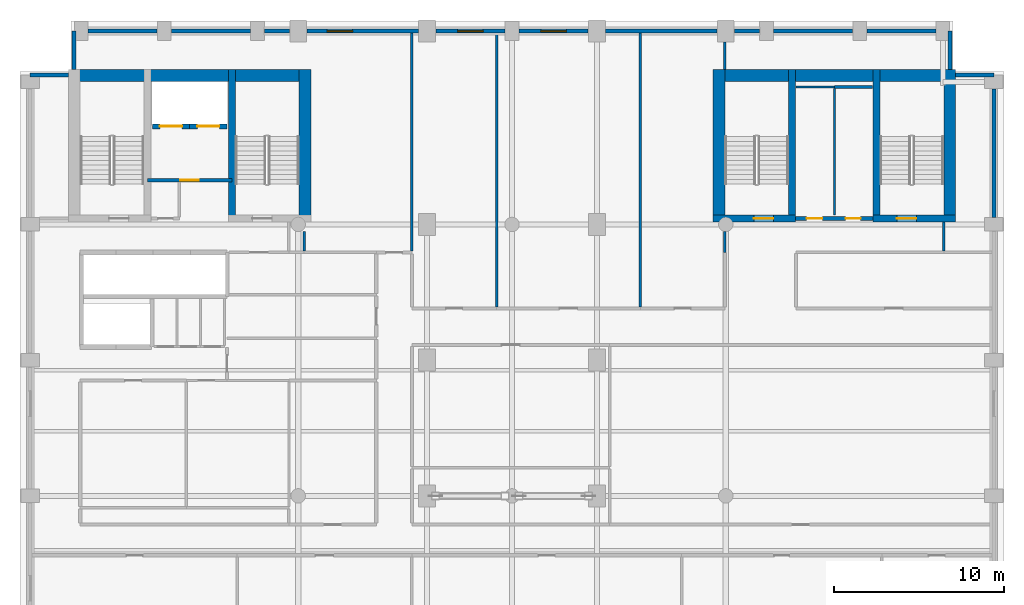
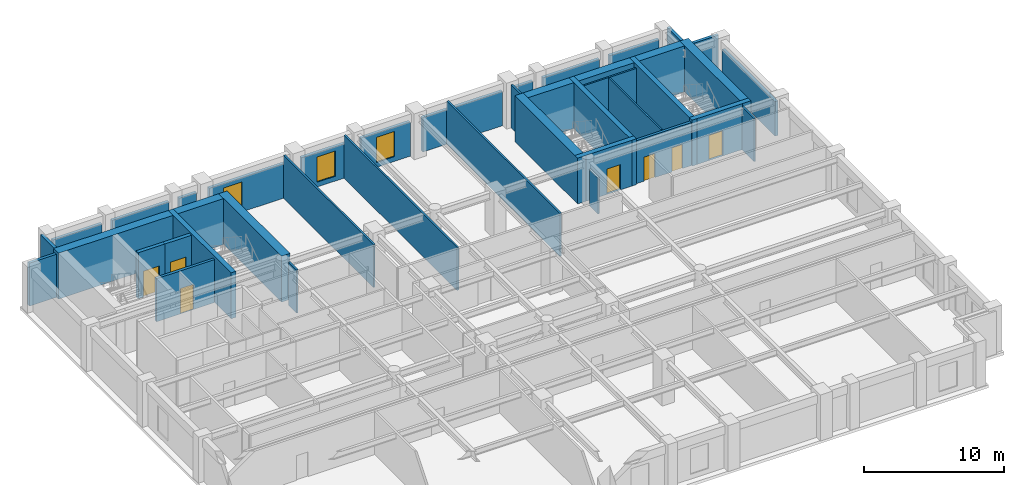
# One storey, part 8 of 11: 39 walls, 7 doors, 3 windows, 10 openings.
"""IFC4 building model written with IfcOpenShell, lengths in metres."""

import ifcopenshell
import ifcopenshell.guid

model = None  # the IFC model being written
_history = None  # IfcOwnerHistory: only IFC2X3 demands one
_inside = {}  # id of a spatial element -> (the spatial element, [elements in it])
_under = {}  # id of a project, library or spatial element -> (it, [spatial elements below it])
_declared = {}  # id of a project -> (the project, [libraries it declares])
_typed = {}  # id of a type object -> (the type object, [elements of that type])
_made_of = {}  # id of a material, layer set ... -> (it, [elements and type objects made of it])


def new_model(schema):
    """Start an empty IFC model of exactly this schema.

    Asked for "IFC4X3", IfcOpenShell would pick the latest addendum, in which some entities
    have other attributes; the version numbers below select the first issue.
    IFC2X3 requires an IfcOwnerHistory on every rooted entity: one is made here for all.
    """
    global model, _history
    if schema == "IFC4X3":
        model = ifcopenshell.file(schema_version=(4, 3, 0, 0))
    else:
        model = ifcopenshell.file(schema=schema)
    _inside.clear()
    _under.clear()
    _declared.clear()
    _typed.clear()
    _made_of.clear()
    _history = None
    if model.schema == "IFC2X3":
        org = make("IfcOrganization", Name="unknown")
        user = make(
            "IfcPersonAndOrganization",
            ThePerson=make("IfcPerson", FamilyName="unknown"),
            TheOrganization=org,
        )
        app = make(
            "IfcApplication",
            ApplicationDeveloper=org,
            Version="unknown",
            ApplicationFullName="unknown",
            ApplicationIdentifier="unknown",
        )
        _history = make(
            "IfcOwnerHistory",
            OwningUser=user,
            OwningApplication=app,
            ChangeAction="ADDED",
            CreationDate=0,
        )
    return model


def make(cls, **values):
    """One entity of the class cls with the attributes given. An attribute that is None is left unset."""
    return model.create_entity(
        cls, **{name: value for name, value in values.items() if value is not None}
    )


def rooted(cls, **values):
    """An entity with a GlobalId (a new one), such as an element, a storey or a relation."""
    return make(cls, GlobalId=ifcopenshell.guid.new(), OwnerHistory=_history, **values)


def si_unit(unit_type, name, prefix=None):
    """IfcSIUnit, for example si_unit("LENGTHUNIT", "METRE", prefix="MILLI")."""
    return make("IfcSIUnit", UnitType=unit_type, Prefix=prefix, Name=name)


def assignment(units):
    """IfcUnitAssignment: the units of a project."""
    return None if units is None else make("IfcUnitAssignment", Units=units)


def point(xyz):
    """IfcCartesianPoint."""
    return None if xyz is None else make("IfcCartesianPoint", Coordinates=xyz)


def direction(xyz):
    """IfcDirection."""
    return None if xyz is None else make("IfcDirection", DirectionRatios=xyz)


def frame(location, z_axis=None, x_axis=None):
    """IfcAxis2Placement3D, a coordinate frame: its origin and axes. An axis left out is left unset."""
    return make(
        "IfcAxis2Placement3D",
        Location=point(location),
        Axis=direction(z_axis),
        RefDirection=direction(x_axis),
    )


def frame_2d(location, x_axis=None):
    """IfcAxis2Placement2D, a coordinate frame in the plane: its origin and x axis."""
    return make(
        "IfcAxis2Placement2D", Location=point(location), RefDirection=direction(x_axis)
    )


def origin():
    """The frame at (0, 0, 0) with its axes left unset."""
    return frame((0.0, 0.0, 0.0))


def place(relative_to, where):
    """IfcLocalPlacement: puts the frame where relative to a parent placement (None: the world)."""
    return make(
        "IfcLocalPlacement", PlacementRelTo=relative_to, RelativePlacement=where
    )


def context(
    kind, dimensions, precision=None, world=None, true_north=None, identifier=None
):
    """IfcGeometricRepresentationContext, for example the 3D "Model" context."""
    return make(
        "IfcGeometricRepresentationContext",
        ContextIdentifier=identifier,
        ContextType=kind,
        CoordinateSpaceDimension=dimensions,
        Precision=precision,
        WorldCoordinateSystem=world,
        TrueNorth=true_north,
    )


def subcontext(parent, identifier, kind, view, scale=None):
    """IfcGeometricRepresentationSubContext, for example "Body" below "Model"."""
    return make(
        "IfcGeometricRepresentationSubContext",
        ContextIdentifier=identifier,
        ContextType=kind,
        ParentContext=parent,
        TargetScale=scale,
        TargetView=view,
    )


def project(units=None, contexts=None):
    """IfcProject with its units and contexts."""
    return rooted(
        "IfcProject",
        Name="project",
        RepresentationContexts=contexts,
        UnitsInContext=assignment(units),
    )


def spatial(cls, under=None, at=None, **own):
    """A site, building, storey or space (cls), placed at a placement, below another one or the project."""
    s = rooted(cls, ObjectPlacement=at, **own)
    if under is not None:
        _under.setdefault(under.id(), (under, []))[1].append(s)
    return s


def profile(cls, at=None, kind="AREA", **sizes):
    """A parametric profile (cls). Its sizes go by their IFC names, for example OverallWidth=200.0."""
    return make(cls, ProfileType=kind, Position=at, **sizes)


def rectangle(**sizes):
    """IfcRectangleProfileDef."""
    return profile("IfcRectangleProfileDef", **sizes)


def extrude(swept, where, along, depth):
    """IfcExtrudedAreaSolid: the profile swept, set in the frame where, extruded along a direction by depth."""
    return make(
        "IfcExtrudedAreaSolid",
        SweptArea=swept,
        Position=where,
        ExtrudedDirection=direction(along),
        Depth=depth,
    )


def shape(context_of_items, identifier, shape_type, items):
    """IfcShapeRepresentation: the items that make up one representation, for example the "Body"."""
    return make(
        "IfcShapeRepresentation",
        ContextOfItems=context_of_items,
        RepresentationIdentifier=identifier,
        RepresentationType=shape_type,
        Items=items,
    )


def material(Name=None, Category=None):
    """IfcMaterial."""
    return make("IfcMaterial", Name=Name, Category=Category)


def layer(
    of_material, thickness, ventilated=None, Name=None, Category=None, Priority=None
):
    """IfcMaterialLayer: one layer of a wall or slab, of a material (None: an air gap)."""
    return make(
        "IfcMaterialLayer",
        Material=of_material,
        LayerThickness=thickness,
        IsVentilated=ventilated,
        Name=Name,
        Category=Category,
        Priority=Priority,
    )


def layer_set(layers, Name=None):
    """IfcMaterialLayerSet."""
    return make("IfcMaterialLayerSet", MaterialLayers=layers, LayerSetName=Name)


def made_of(thing, what):
    """Note that an element or type object is made of a material, layer set ...; save() writes the relation."""
    if what is not None:
        _made_of.setdefault(what.id(), (what, []))[1].append(thing)
    return thing


def type_object(cls, material=None, **own):
    """A type object (cls), such as IfcWallType, which elements share."""
    return made_of(rooted(cls, **own), material)


def element(
    cls,
    number,
    at=None,
    inside=None,
    cuts=None,
    type_object=None,
    material=None,
    context=None,
    identifier="Body",
    shape_type=None,
    held_by="IfcProductDefinitionShape",
    body=None,
    shapes=None,
    **own,
):
    """One element of the class cls, such as IfcWall. Its Tag is "e" and its number.

    at: its placement. inside: the storey or other place that contains it. cuts: it is an
    opening in that element (IfcRelVoidsElement). A single representation is given by context,
    identifier, shape_type and body (its items); several are given by shapes. held_by: the class
    of the entity that holds the representations. save() writes the other relations.
    """
    e = rooted(cls, Tag="e%d" % number, ObjectPlacement=at, **own)
    if body is not None:
        shapes = [shape(context, identifier, shape_type, body)]
    if shapes is not None:
        e.Representation = make(held_by, Representations=shapes)
    if inside is not None:
        _inside.setdefault(inside.id(), (inside, []))[1].append(e)
    if cuts is not None:
        rooted(
            "IfcRelVoidsElement", RelatingBuildingElement=cuts, RelatedOpeningElement=e
        )
    if type_object is not None:
        _typed.setdefault(type_object.id(), (type_object, []))[1].append(e)
    return made_of(e, material)


def fill(opening, filler):
    """IfcRelFillsElement: the door or window that sits in an opening."""
    return rooted(
        "IfcRelFillsElement",
        RelatingOpeningElement=opening,
        RelatedBuildingElement=filler,
    )


def aggregate(whole, parts):
    """IfcRelAggregates: a whole, such as a stair, and the parts it consists of."""
    return rooted("IfcRelAggregates", RelatingObject=whole, RelatedObjects=parts)


def save(model, path):
    """Write the relations noted so far, then the file.

    IfcRelAggregates (storeys below a building ...), IfcRelContainedInSpatialStructure (elements
    in a storey), IfcRelDefinesByType, IfcRelAssociatesMaterial and IfcRelDeclares: one each for
    every whole, place, type object, material and project.
    """
    for whole, parts in _under.values():
        aggregate(whole, parts)
    for where, things in _inside.values():
        rooted(
            "IfcRelContainedInSpatialStructure",
            RelatedElements=things,
            RelatingStructure=where,
        )
    for kind, things in _typed.values():
        rooted("IfcRelDefinesByType", RelatedObjects=things, RelatingType=kind)
    for what, things in _made_of.values():
        rooted("IfcRelAssociatesMaterial", RelatedObjects=things, RelatingMaterial=what)
    for by, libraries in _declared.values():
        rooted("IfcRelDeclares", RelatingContext=by, RelatedDefinitions=libraries)
    model.write(path)


model = new_model("IFC4")

# Units and contexts
model_context = context("Model", 3, precision=1e-05, world=origin(), true_north=direction((0.0, 1.0)))
body_context = subcontext(model_context, "Body", "Model", "MODEL_VIEW")
ifc_project = project(units=[si_unit("LENGTHUNIT", "METRE"), si_unit("AREAUNIT", "SQUARE_METRE"), si_unit("VOLUMEUNIT", "CUBIC_METRE"), si_unit("PLANEANGLEUNIT", "RADIAN"), si_unit("MASSUNIT", "GRAM", prefix="KILO")], contexts=[model_context])

# Site, building, storey
site_placement = place(None, origin())
site = spatial("IfcSite", under=ifc_project, at=site_placement, CompositionType="ELEMENT")
building_placement = place(site_placement, origin())
building = spatial("IfcBuilding", under=site, at=building_placement, Name="Sulina Concourse Tower", CompositionType="ELEMENT")
storey_placement = place(building_placement, frame((0.0, 0.0, 218.60009765625)))
storey = spatial("IfcBuildingStorey", under=building, at=storey_placement, Name="L53", CompositionType="ELEMENT", Elevation=218.60009765625)

# Wall, opening, door
ifc_material_1 = material(Name="Concrete C50/60", Category="concrete")
ifc_layer_1 = layer(ifc_material_1, 0.300048828125)
ifc_layer_set_1 = layer_set([ifc_layer_1], Name="Concrete C50/60")
wall_type_1 = type_object("IfcWallType", Name="Core Lift Hoistway Wall 300mm", PredefinedType="SOLIDWALL", material=ifc_layer_set_1)
wall_1_placement = place(storey_placement, frame((10.0, 39.780029296875, 0.0), z_axis=(0.0, 0.0, 1.0), x_axis=(-1.0, 0.0, 0.0)))
wall_1 = element("IfcWall", 1, at=wall_1_placement, inside=storey, type_object=wall_type_1, Name="L53 hoistway enclosure wall FFL-1", PredefinedType="SOLIDWALL", context=body_context, shape_type="SweptSolid", body=[
    extrude(rectangle(XDim=2.199951171875, YDim=0.300048828125, at=frame_2d((1.10009765625, 0.0))), origin(), (0.0, 0.0, 1.0), 4.0),
])
opening_1_placement = place(wall_1_placement, frame((0.449951171875, 0.0, 0.0)))
opening_1 = element("IfcOpeningElement", 2, at=opening_1_placement, cuts=wall_1, Name="Opening LD-02", PredefinedType="OPENING", context=body_context, shape_type="SweptSolid", body=[
    extrude(rectangle(XDim=1.300048828125, YDim=2.25, at=frame_2d((0.64990234375, 1.125))), frame((0.0, 0.159912109375, 0.0), z_axis=(0.0, -1.0, 0.0), x_axis=(1.0, 0.0, 0.0)), (0.0, 0.0, 1.0), 0.320068359375),
])
ifc_material_2 = material(Name="Stainless steel lift landing door", Category="steel")
ifc_layer_2 = layer(ifc_material_2, 0.050048828125)
ifc_layer_set_2 = layer_set([ifc_layer_2], Name="Stainless steel lift landing door")
door_type_1 = type_object("IfcDoorType", Name="Firefighting Lift Sliding Landing Door 1300x2250", OperationType="SLIDING_TO_RIGHT", PredefinedType="DOOR", material=ifc_layer_set_2)
door_1_placement = place(opening_1_placement, origin())
door_1 = element("IfcDoor", 3, at=door_1_placement, inside=storey, type_object=door_type_1, Name="L53 lift landing sliding door FFL-1", OperationType="SLIDING_TO_LEFT", OverallHeight=2.25, OverallWidth=1.300048828125, PredefinedType="DOOR", context=body_context, shape_type="SweptSolid", body=[
    extrude(rectangle(XDim=1.300048828125, YDim=2.25, at=frame_2d((0.64990234375, 1.125))), frame((0.0, 0.02490234375, 0.0), z_axis=(0.0, -1.0, 0.0), x_axis=(1.0, 0.0, 0.0)), (0.0, 0.0, 1.0), 0.050048828125),
])
fill(opening_1, door_1)

wall_2_placement = place(storey_placement, frame((12.199951171875, 39.780029296875, 0.0), z_axis=(0.0, 0.0, 1.0), x_axis=(-1.0, 0.0, 0.0)))
wall_2 = element("IfcWall", 4, at=wall_2_placement, inside=storey, type_object=wall_type_1, Name="L53 hoistway enclosure wall FFL-2", PredefinedType="SOLIDWALL", context=body_context, shape_type="SweptSolid", body=[
    extrude(rectangle(XDim=2.199951171875, YDim=0.300048828125, at=frame_2d((1.10009765625, 0.0))), origin(), (0.0, 0.0, 1.0), 4.0),
])
opening_2_placement = place(wall_2_placement, frame((0.449951171875, 0.0, 0.0)))
opening_2 = element("IfcOpeningElement", 5, at=opening_2_placement, cuts=wall_2, Name="Opening LD-02", PredefinedType="OPENING", context=body_context, shape_type="SweptSolid", body=[
    extrude(rectangle(XDim=1.300048828125, YDim=2.25, at=frame_2d((0.64990234375, 1.125))), frame((0.0, 0.159912109375, 0.0), z_axis=(0.0, -1.0, 0.0), x_axis=(1.0, 0.0, 0.0)), (0.0, 0.0, 1.0), 0.320068359375),
])
door_2_placement = place(opening_2_placement, origin())
door_2 = element("IfcDoor", 6, at=door_2_placement, inside=storey, type_object=door_type_1, Name="L53 lift landing sliding door FFL-2", OperationType="SLIDING_TO_RIGHT", OverallHeight=2.25, OverallWidth=1.300048828125, PredefinedType="DOOR", context=body_context, shape_type="SweptSolid", body=[
    extrude(rectangle(XDim=1.300048828125, YDim=2.25, at=frame_2d((0.64990234375, 1.125))), frame((0.0, 0.02490234375, 0.0), z_axis=(0.0, -1.0, 0.0), x_axis=(1.0, 0.0, 0.0)), (0.0, 0.0, 1.0), 0.050048828125),
])
fill(opening_2, door_2)

# Walls
ifc_material_3 = material(Name="Precast concrete C50/60", Category="concrete")
ifc_layer_3 = layer(ifc_material_3, 0.239990234375)
ifc_layer_set_3 = layer_set([ifc_layer_3], Name="Precast concrete C50/60")
wall_type_2 = type_object("IfcWallType", Name="Crown Precast Masonry-Frame Facade Wall 240mm", PredefinedType="SOLIDWALL", material=ifc_layer_set_3)
wall_3_placement = place(storey_placement, frame((4.02001953125, 45.39990234375, 0.0), z_axis=(0.0, 0.0, 1.0), x_axis=(1.0, 0.0, 0.0)))
element("IfcWall", 7, at=wall_3_placement, inside=storey, type_object=wall_type_2, Name="L53 exterior precast wall N1", PredefinedType="SOLIDWALL", context=body_context, shape_type="SweptSolid", body=[
    extrude(rectangle(XDim=4.06005859375, YDim=0.239990234375, at=frame_2d((2.030029296875, 0.0))), origin(), (0.0, 0.0, 1.0), 3.0),
])
wall_4_placement = place(storey_placement, frame((8.919921875, 45.39990234375, 0.0), z_axis=(0.0, 0.0, 1.0), x_axis=(1.0, 0.0, 0.0)))
element("IfcWall", 8, at=wall_4_placement, inside=storey, type_object=wall_type_2, Name="L53 exterior precast wall N2", PredefinedType="SOLIDWALL", context=body_context, shape_type="SweptSolid", body=[
    extrude(rectangle(XDim=4.66015625, YDim=0.239990234375, at=frame_2d((2.330078125, 0.0))), origin(), (0.0, 0.0, 1.0), 3.0),
])
wall_5_placement = place(storey_placement, frame((14.419921875, 45.39990234375, 0.0), z_axis=(0.0, 0.0, 1.0), x_axis=(1.0, 0.0, 0.0)))
element("IfcWall", 9, at=wall_5_placement, inside=storey, type_object=wall_type_2, Name="L53 exterior precast wall N3", PredefinedType="SOLIDWALL", context=body_context, shape_type="SweptSolid", body=[
    extrude(rectangle(XDim=1.4599609375, YDim=0.239990234375, at=frame_2d((0.72998046875, 0.0))), origin(), (0.0, 0.0, 1.0), 3.0),
])

# Wall, opening, window
wall_6_placement = place(storey_placement, frame((16.919921875, 45.39990234375, 0.0), z_axis=(0.0, 0.0, 1.0), x_axis=(1.0, 0.0, 0.0)))
wall_6 = element("IfcWall", 10, at=wall_6_placement, inside=storey, type_object=wall_type_2, Name="L53 exterior precast wall N4", PredefinedType="SOLIDWALL", context=body_context, shape_type="SweptSolid", body=[
    extrude(rectangle(XDim=6.56005859375, YDim=0.239990234375, at=frame_2d((3.280029296875, 0.0))), origin(), (0.0, 0.0, 1.0), 3.0),
])
opening_3_placement = place(wall_6_placement, frame((1.186767578125, 0.0, 0.419921875)))
opening_3 = element("IfcOpeningElement", 11, at=opening_3_placement, cuts=wall_6, Name="Opening WN-71", PredefinedType="OPENING", context=body_context, shape_type="SweptSolid", body=[
    extrude(rectangle(XDim=1.5, YDim=2.199951171875, at=frame_2d((0.75, 1.10009765625))), frame((0.0, 0.1298828125, 0.0), z_axis=(0.0, -1.0, 0.0), x_axis=(1.0, 0.0, 0.0)), (0.0, 0.0, 1.0), 0.260009765625),
])
ifc_material_4 = material(Name="Low-E solar double glazing in bronze aluminium", Category="aluminium")
window_type = type_object("IfcWindowType", Name="Punched Masonry-Frame Window 1500x2200", PartitioningType="SINGLE_PANEL", PredefinedType="WINDOW", material=ifc_material_4)
window_1_placement = place(opening_3_placement, origin())
window_1 = element("IfcWindow", 12, at=window_1_placement, inside=storey, type_object=window_type, Name="L53 punched window N4-1", OverallHeight=2.199951171875, OverallWidth=1.5, PartitioningType="SINGLE_PANEL", PredefinedType="WINDOW", context=body_context, shape_type="SweptSolid", body=[
    extrude(rectangle(XDim=1.5, YDim=2.199951171875, at=frame_2d((0.75, 1.10009765625))), frame((0.0, 0.030029296875, 0.0), z_axis=(0.0, -1.0, 0.0), x_axis=(1.0, 0.0, 0.0)), (0.0, 0.0, 1.0), 0.06005859375),
])
fill(opening_3, window_1)

wall_7_placement = place(storey_placement, frame((24.52001953125, 45.39990234375, 0.0), z_axis=(0.0, 0.0, 1.0), x_axis=(1.0, 0.0, 0.0)))
wall_7 = element("IfcWall", 13, at=wall_7_placement, inside=storey, type_object=wall_type_2, Name="L53 exterior precast wall N5", PredefinedType="SOLIDWALL", context=body_context, shape_type="SweptSolid", body=[
    extrude(rectangle(XDim=4.06005859375, YDim=0.239990234375, at=frame_2d((2.030029296875, 0.0))), origin(), (0.0, 0.0, 1.0), 3.0),
])
opening_4_placement = place(wall_7_placement, frame((1.280029296875, 0.0, 0.419921875)))
opening_4 = element("IfcOpeningElement", 14, at=opening_4_placement, cuts=wall_7, Name="Opening WN-71", PredefinedType="OPENING", context=body_context, shape_type="SweptSolid", body=[
    extrude(rectangle(XDim=1.5, YDim=2.199951171875, at=frame_2d((0.75, 1.10009765625))), frame((0.0, 0.1298828125, 0.0), z_axis=(0.0, -1.0, 0.0), x_axis=(1.0, 0.0, 0.0)), (0.0, 0.0, 1.0), 0.260009765625),
])
window_2_placement = place(opening_4_placement, origin())
window_2 = element("IfcWindow", 15, at=window_2_placement, inside=storey, type_object=window_type, Name="L53 punched window N5-1", OverallHeight=2.199951171875, OverallWidth=1.5, PartitioningType="SINGLE_PANEL", PredefinedType="WINDOW", context=body_context, shape_type="SweptSolid", body=[
    extrude(rectangle(XDim=1.5, YDim=2.199951171875, at=frame_2d((0.75, 1.10009765625))), frame((0.0, 0.030029296875, 0.0), z_axis=(0.0, -1.0, 0.0), x_axis=(1.0, 0.0, 0.0)), (0.0, 0.0, 1.0), 0.06005859375),
])
fill(opening_4, window_2)

wall_8_placement = place(storey_placement, frame((29.419921875, 45.39990234375, 0.0), z_axis=(0.0, 0.0, 1.0), x_axis=(1.0, 0.0, 0.0)))
wall_8 = element("IfcWall", 16, at=wall_8_placement, inside=storey, type_object=wall_type_2, Name="L53 exterior precast wall N6", PredefinedType="SOLIDWALL", context=body_context, shape_type="SweptSolid", body=[
    extrude(rectangle(XDim=4.06005859375, YDim=0.239990234375, at=frame_2d((2.030029296875, 0.0))), origin(), (0.0, 0.0, 1.0), 3.0),
])
opening_5_placement = place(wall_8_placement, frame((1.280029296875, 0.0, 0.419921875)))
opening_5 = element("IfcOpeningElement", 17, at=opening_5_placement, cuts=wall_8, Name="Opening WN-71", PredefinedType="OPENING", context=body_context, shape_type="SweptSolid", body=[
    extrude(rectangle(XDim=1.5, YDim=2.199951171875, at=frame_2d((0.75, 1.10009765625))), frame((0.0, 0.1298828125, 0.0), z_axis=(0.0, -1.0, 0.0), x_axis=(1.0, 0.0, 0.0)), (0.0, 0.0, 1.0), 0.260009765625),
])
window_3_placement = place(opening_5_placement, origin())
window_3 = element("IfcWindow", 18, at=window_3_placement, inside=storey, type_object=window_type, Name="L53 punched window N6-1", OverallHeight=2.199951171875, OverallWidth=1.5, PartitioningType="SINGLE_PANEL", PredefinedType="WINDOW", context=body_context, shape_type="SweptSolid", body=[
    extrude(rectangle(XDim=1.5, YDim=2.199951171875, at=frame_2d((0.75, 1.10009765625))), frame((0.0, 0.030029296875, 0.0), z_axis=(0.0, -1.0, 0.0), x_axis=(1.0, 0.0, 0.0)), (0.0, 0.0, 1.0), 0.06005859375),
])
fill(opening_5, window_3)

# Walls
wall_9_placement = place(storey_placement, frame((34.52001953125, 45.39990234375, 0.0), z_axis=(0.0, 0.0, 1.0), x_axis=(1.0, 0.0, 0.0)))
element("IfcWall", 19, at=wall_9_placement, inside=storey, type_object=wall_type_2, Name="L53 exterior precast wall N7", PredefinedType="SOLIDWALL", context=body_context, shape_type="SweptSolid", body=[
    extrude(rectangle(XDim=6.56005859375, YDim=0.239990234375, at=frame_2d((3.280029296875, 0.0))), origin(), (0.0, 0.0, 1.0), 3.0),
])
wall_10_placement = place(storey_placement, frame((42.1201171875, 45.39990234375, 0.0), z_axis=(0.0, 0.0, 1.0), x_axis=(1.0, 0.0, 0.0)))
element("IfcWall", 20, at=wall_10_placement, inside=storey, type_object=wall_type_2, Name="L53 exterior precast wall N8", PredefinedType="SOLIDWALL", context=body_context, shape_type="SweptSolid", body=[
    extrude(rectangle(XDim=1.4599609375, YDim=0.239990234375, at=frame_2d((0.72998046875, 0.0))), origin(), (0.0, 0.0, 1.0), 3.0),
])
wall_11_placement = place(storey_placement, frame((44.419921875, 45.39990234375, 0.0), z_axis=(0.0, 0.0, 1.0), x_axis=(1.0, 0.0, 0.0)))
element("IfcWall", 21, at=wall_11_placement, inside=storey, type_object=wall_type_2, Name="L53 exterior precast wall N9", PredefinedType="SOLIDWALL", context=body_context, shape_type="SweptSolid", body=[
    extrude(rectangle(XDim=4.66015625, YDim=0.239990234375, at=frame_2d((2.330078125, 0.0))), origin(), (0.0, 0.0, 1.0), 3.0),
])
wall_12_placement = place(storey_placement, frame((49.919921875, 45.39990234375, 0.0), z_axis=(0.0, 0.0, 1.0), x_axis=(1.0, 0.0, 0.0)))
element("IfcWall", 22, at=wall_12_placement, inside=storey, type_object=wall_type_2, Name="L53 exterior precast wall N10", PredefinedType="SOLIDWALL", context=body_context, shape_type="SweptSolid", body=[
    extrude(rectangle(XDim=4.06005859375, YDim=0.239990234375, at=frame_2d((2.030029296875, 0.0))), origin(), (0.0, 0.0, 1.0), 3.0),
])
wall_13_placement = place(storey_placement, frame((57.39990234375, 41.97998046875, 0.0), z_axis=(0.0, 0.0, 1.0), x_axis=(0.0, -1.0, 0.0)))
element("IfcWall", 23, at=wall_13_placement, inside=storey, type_object=wall_type_2, Name="L53 exterior precast wall E5", PredefinedType="SOLIDWALL", context=body_context, shape_type="SweptSolid", body=[
    extrude(rectangle(XDim=7.56005859375, YDim=0.239990234375, at=frame_2d((3.780029296875, 0.0))), origin(), (0.0, 0.0, 1.0), 3.0),
])
wall_14_placement = place(storey_placement, frame((0.60009765625, 42.820068359375, 0.0), z_axis=(0.0, 0.0, 1.0), x_axis=(1.0, 0.0, 0.0)))
element("IfcWall", 24, at=wall_14_placement, inside=storey, type_object=wall_type_2, Name="L53 exterior precast wall CNW1", PredefinedType="SOLIDWALL", context=body_context, shape_type="SweptSolid", body=[
    extrude(rectangle(XDim=2.244873046875, YDim=0.239990234375, at=frame_2d((1.12255859375, 0.0))), origin(), (0.0, 0.0, 1.0), 3.75),
])
for number, where, z_axis, x_axis, name in (
    (25, (3.179931640625, 43.135009765625, 0.0), (0.0, 0.0, 1.0), (0.0, 1.0, 0.0), "L53 exterior precast wall CNW2"),
    (26, (54.820068359375, 45.39990234375, 0.0), (0.0, 0.0, 1.0), (0.0, -1.0, 0.0), "L53 exterior precast wall CNE1"),
):
    element("IfcWall", number, at=place(storey_placement, frame(where, z_axis=z_axis, x_axis=x_axis)), inside=storey, type_object=wall_type_2, Name=name, PredefinedType="SOLIDWALL", context=body_context, shape_type="SweptSolid", body=[
        extrude(rectangle(XDim=2.264892578125, YDim=0.239990234375, at=frame_2d((1.13232421875, 0.0))), origin(), (0.0, 0.0, 1.0), 3.75),
    ])
wall_15_placement = place(storey_placement, frame((55.155029296875, 42.820068359375, 0.0), z_axis=(0.0, 0.0, 1.0), x_axis=(1.0, 0.0, 0.0)))
element("IfcWall", 27, at=wall_15_placement, inside=storey, type_object=wall_type_2, Name="L53 exterior precast wall CNE2", PredefinedType="SOLIDWALL", context=body_context, shape_type="SweptSolid", body=[
    extrude(rectangle(XDim=2.244873046875, YDim=0.239990234375, at=frame_2d((1.12255859375, 0.0))), origin(), (0.0, 0.0, 1.0), 3.75),
])

# Wall, opening, door
ifc_material_5 = material(Name="Gypsum board on steel stud", Category="steel")
ifc_layer_4 = layer(ifc_material_5, 0.219970703125)
ifc_layer_set_4 = layer_set([ifc_layer_4], Name="Gypsum board on steel stud")
wall_type_3 = type_object("IfcWallType", Name="Fire-Rated Lobby & Compartment Wall 220mm", PredefinedType="PARTITIONING", material=ifc_layer_set_4)
wall_16_placement = place(storey_placement, frame((7.510009765625, 36.60009765625, 0.0), z_axis=(0.0, 0.0, 1.0), x_axis=(1.0, 0.0, 0.0)))
wall_16 = element("IfcWall", 28, at=wall_16_placement, inside=storey, type_object=wall_type_3, Name="L53 firefighting lobby south fire wall", PredefinedType="PARTITIONING", context=body_context, shape_type="SweptSolid", body=[
    extrude(rectangle(XDim=4.97998046875, YDim=0.219970703125, at=frame_2d((2.489990234375, 0.0))), origin(), (0.0, 0.0, 1.0), 3.75),
])
opening_6_placement = place(wall_16_placement, frame((1.93994140625, 0.0, 0.0)))
opening_6 = element("IfcOpeningElement", 29, at=opening_6_placement, cuts=wall_16, Name="Opening DR-47", PredefinedType="OPENING", context=body_context, shape_type="SweptSolid", body=[
    extrude(rectangle(XDim=1.10009765625, YDim=2.199951171875, at=frame_2d((0.550048828125, 1.10009765625))), frame((0.0, 0.119873046875, 0.0), z_axis=(0.0, -1.0, 0.0), x_axis=(1.0, 0.0, 0.0)), (0.0, 0.0, 1.0), 0.239990234375),
])
ifc_material_6 = material(Name="Galvanised steel acoustic fire leaf", Category="steel")
ifc_layer_5 = layer(ifc_material_6, 0.054931640625)
ifc_layer_set_5 = layer_set([ifc_layer_5], Name="Galvanised steel acoustic fire leaf")
door_type_2 = type_object("IfcDoorType", Name="Firefighting Lobby Fire Door 1100x2200", OperationType="NOTDEFINED", PredefinedType="DOOR", material=ifc_layer_set_5)
door_3_placement = place(opening_6_placement, origin())
door_3 = element("IfcDoor", 30, at=door_3_placement, inside=storey, type_object=door_type_2, Name="L53 firefighting lobby fire door", OperationType="SINGLE_SWING_RIGHT", OverallHeight=2.199951171875, OverallWidth=1.10009765625, PredefinedType="DOOR", context=body_context, shape_type="SweptSolid", body=[
    extrude(rectangle(XDim=1.10009765625, YDim=2.199951171875, at=frame_2d((0.550048828125, 1.10009765625))), frame((0.0, 0.02490234375, 0.0), z_axis=(0.0, -1.0, 0.0), x_axis=(1.0, 0.0, 0.0)), (0.0, 0.0, 1.0), 0.050048828125),
])
fill(opening_6, door_3)

# Wall, openings, doors
wall_17_placement = place(storey_placement, frame((45.719970703125, 34.35009765625, 0.0), z_axis=(0.0, 0.0, 1.0), x_axis=(1.0, 0.0, 0.0)))
wall_17 = element("IfcWall", 31, at=wall_17_placement, inside=storey, type_object=wall_type_3, Name="L53 east core south lobby wall", PredefinedType="PARTITIONING", context=body_context, shape_type="SweptSolid", body=[
    extrude(rectangle(XDim=4.56005859375, YDim=0.219970703125, at=frame_2d((2.280029296875, 0.0))), origin(), (0.0, 0.0, 1.0), 3.75),
])
opening_7_placement = place(wall_17_placement, frame((0.64990234375, 0.0, 0.0)))
opening_7 = element("IfcOpeningElement", 32, at=opening_7_placement, cuts=wall_17, Name="Opening DR-61", PredefinedType="OPENING", context=body_context, shape_type="SweptSolid", body=[
    extrude(rectangle(XDim=0.919921875, YDim=2.10009765625, at=frame_2d((0.4599609375, 1.050048828125))), frame((0.0, 0.119873046875, 0.0), z_axis=(0.0, -1.0, 0.0), x_axis=(1.0, 0.0, 0.0)), (0.0, 0.0, 1.0), 0.239990234375),
])
opening_8_placement = place(wall_17_placement, frame((2.949951171875, 0.0, 0.0)))
opening_8 = element("IfcOpeningElement", 33, at=opening_8_placement, cuts=wall_17, Name="Opening DR-38", PredefinedType="OPENING", context=body_context, shape_type="SweptSolid", body=[
    extrude(rectangle(XDim=0.8798828125, YDim=2.10009765625, at=frame_2d((0.43994140625, 1.050048828125))), frame((0.0, 0.119873046875, 0.0), z_axis=(0.0, -1.0, 0.0), x_axis=(1.0, 0.0, 0.0)), (0.0, 0.0, 1.0), 0.239990234375),
])
ifc_material_7 = material(Name="Oak-veneered fire door leaf")
ifc_layer_6 = layer(ifc_material_7, 0.050048828125)
ifc_layer_set_6 = layer_set([ifc_layer_6], Name="Oak-veneered fire door leaf")
door_type_3 = type_object("IfcDoorType", Name="Accessible WC Door 920x2100", OperationType="NOTDEFINED", PredefinedType="DOOR", material=ifc_layer_set_6)
door_4_placement = place(opening_7_placement, origin())
door_4 = element("IfcDoor", 34, at=door_4_placement, inside=storey, type_object=door_type_3, Name="L53 east core accessible wc door", OperationType="SINGLE_SWING_RIGHT", OverallHeight=2.10009765625, OverallWidth=0.919921875, PredefinedType="DOOR", context=body_context, shape_type="SweptSolid", body=[
    extrude(rectangle(XDim=0.919921875, YDim=2.10009765625, at=frame_2d((0.4599609375, 1.050048828125))), frame((0.0, 0.02490234375, 0.0), z_axis=(0.0, -1.0, 0.0), x_axis=(1.0, 0.0, 0.0)), (0.0, 0.0, 1.0), 0.050048828125),
])
fill(opening_7, door_4)
ifc_material_8 = material(Name="Galvanised steel acoustic fire leaf", Category="steel")
ifc_layer_7 = layer(ifc_material_8, 0.050048828125)
ifc_layer_set_7 = layer_set([ifc_layer_7], Name="Galvanised steel acoustic fire leaf")
door_type_4 = type_object("IfcDoorType", Name="Service Riser Fire Door 880x2100", OperationType="NOTDEFINED", PredefinedType="DOOR", material=ifc_layer_set_7)
door_5_placement = place(opening_8_placement, origin())
door_5 = element("IfcDoor", 35, at=door_5_placement, inside=storey, type_object=door_type_4, Name="L53 east core store door", OperationType="SINGLE_SWING_LEFT", OverallHeight=2.10009765625, OverallWidth=0.8798828125, PredefinedType="DOOR", context=body_context, shape_type="SweptSolid", body=[
    extrude(rectangle(XDim=0.8798828125, YDim=2.10009765625, at=frame_2d((0.43994140625, 1.050048828125))), frame((0.0, 0.02490234375, 0.0), z_axis=(0.0, -1.0, 0.0), x_axis=(1.0, 0.0, 0.0)), (0.0, 0.0, 1.0), 0.050048828125),
])
fill(opening_8, door_5)

# Walls
ifc_material_9 = material(Name="Gypsum board on steel stud", Category="steel")
ifc_layer_8 = layer(ifc_material_9, 0.14990234375)
ifc_layer_set_8 = layer_set([ifc_layer_8], Name="Gypsum board on steel stud")
wall_type_4 = type_object("IfcWallType", Name="Inter-Tenancy Acoustic Partition 150mm", PredefinedType="PARTITIONING", material=ifc_layer_set_8)
wall_18_placement = place(storey_placement, frame((48.0, 42.10009765625, 0.0), z_axis=(0.0, 0.0, 1.0), x_axis=(1.0, 0.0, 0.0)))
element("IfcWall", 36, at=wall_18_placement, inside=storey, type_object=wall_type_4, Name="L53 interior partition 037", PredefinedType="PARTITIONING", context=body_context, shape_type="SweptSolid", body=[
    extrude(rectangle(XDim=2.25, YDim=0.14990234375, at=frame_2d((1.125, 0.0))), origin(), (0.0, 0.0, 1.0), 3.75),
])
wall_19_placement = place(storey_placement, frame((16.75, 32.425048828125, 0.0), z_axis=(0.0, 0.0, 1.0), x_axis=(0.0, 1.0, 0.0)))
element("IfcWall", 37, at=wall_19_placement, inside=storey, type_object=wall_type_4, Name="L53 interior partition 050", PredefinedType="PARTITIONING", context=body_context, shape_type="SweptSolid", body=[
    extrude(rectangle(XDim=1.14990234375, YDim=0.14990234375, at=frame_2d((0.574951171875, 0.0))), origin(), (0.0, 0.0, 1.0), 3.75),
])
wall_20_placement = place(storey_placement, frame((23.10009765625, 32.43994140625, 0.0), z_axis=(0.0, 0.0, 1.0), x_axis=(0.0, 1.0, 0.0)))
element("IfcWall", 38, at=wall_20_placement, inside=storey, type_object=wall_type_4, Name="L53 interior partition 059", PredefinedType="PARTITIONING", context=body_context, shape_type="SweptSolid", body=[
    extrude(rectangle(XDim=12.840087890625, YDim=0.14990234375, at=frame_2d((6.419921875, 0.0))), origin(), (0.0, 0.0, 1.0), 3.75),
])
for number, where, z_axis, x_axis, name in (
    (39, (28.090087890625, 29.139892578125, 0.0), (0.0, 0.0, 1.0), (0.0, 1.0, 0.0), "L53 interior partition 060"),
    (40, (36.56005859375, 29.139892578125, 0.0), (0.0, 0.0, 1.0), (0.0, 1.0, 0.0), "L53 interior partition 063"),
):
    element("IfcWall", number, at=place(storey_placement, frame(where, z_axis=z_axis, x_axis=x_axis)), inside=storey, type_object=wall_type_4, Name=name, PredefinedType="PARTITIONING", context=body_context, shape_type="SweptSolid", body=[
        extrude(rectangle(XDim=16.14013671875, YDim=0.14990234375, at=frame_2d((8.070068359375, 0.0))), origin(), (0.0, 0.0, 1.0), 3.75),
    ])
wall_21_placement = place(storey_placement, frame((41.550048828125, 32.35009765625, 0.0), z_axis=(0.0, 0.0, 1.0), x_axis=(0.0, 1.0, 0.0)))
element("IfcWall", 41, at=wall_21_placement, inside=storey, type_object=wall_type_4, Name="L53 interior partition 066", PredefinedType="PARTITIONING", context=body_context, shape_type="SweptSolid", body=[
    extrude(rectangle(XDim=1.224853515625, YDim=0.14990234375, at=frame_2d((0.6123046875, 0.0))), origin(), (0.0, 0.0, 1.0), 3.14501953125),
])
wall_22_placement = place(storey_placement, frame((41.550048828125, 43.1298828125, 0.0), z_axis=(0.0, 0.0, 1.0), x_axis=(0.0, 1.0, 0.0)))
element("IfcWall", 42, at=wall_22_placement, inside=storey, type_object=wall_type_4, Name="L53 interior partition 067", PredefinedType="PARTITIONING", context=body_context, shape_type="SweptSolid", body=[
    extrude(rectangle(XDim=1.6201171875, YDim=0.14990234375, at=frame_2d((0.81005859375, 0.0))), origin(), (0.0, 0.0, 1.0), 3.75),
])
wall_23_placement = place(storey_placement, frame((54.449951171875, 32.425048828125, 0.0), z_axis=(0.0, 0.0, 1.0), x_axis=(0.0, 1.0, 0.0)))
element("IfcWall", 43, at=wall_23_placement, inside=storey, type_object=wall_type_4, Name="L53 interior partition 071", PredefinedType="PARTITIONING", context=body_context, shape_type="SweptSolid", body=[
    extrude(rectangle(XDim=1.724853515625, YDim=0.14990234375, at=frame_2d((0.8623046875, 0.0))), origin(), (0.0, 0.0, 1.0), 3.75),
])
ifc_material_10 = material(Name="Concrete C60/75", Category="concrete")
ifc_layer_9 = layer(ifc_material_10, 0.39990234375)
ifc_layer_set_9 = layer_set([ifc_layer_9], Name="Concrete C60/75")
wall_type_5 = type_object("IfcWallType", Name="Protected Stair Core Shear Wall 400mm", PredefinedType="SHEAR", material=ifc_layer_set_9)
wall_24_placement = place(storey_placement, frame((12.489990234375, 34.14990234375, 0.0), z_axis=(0.0, 0.0, 1.0), x_axis=(0.0, 1.0, 0.0)))
element("IfcWall", 44, at=wall_24_placement, inside=storey, type_object=wall_type_5, Name="L53 west core shear wall SW-ST2", PredefinedType="SHEAR", context=body_context, shape_type="SweptSolid", body=[
    extrude(rectangle(XDim=8.97998046875, YDim=0.39990234375, at=frame_2d((4.489990234375, 0.0))), origin(), (0.0, 0.0, 1.0), 4.0),
])

# Wall, opening, door
wall_25_placement = place(storey_placement, frame((40.85009765625, 34.35009765625, 0.0), z_axis=(0.0, 0.0, 1.0), x_axis=(1.0, 0.0, 0.0)))
wall_25 = element("IfcWall", 45, at=wall_25_placement, inside=storey, type_object=wall_type_5, Name="L53 east core shear wall CW-ES1", PredefinedType="SHEAR", context=body_context, shape_type="SweptSolid", body=[
    extrude(rectangle(XDim=4.85986328125, YDim=0.39990234375, at=frame_2d((2.429931640625, 0.0))), origin(), (0.0, 0.0, 1.0), 4.0),
])
opening_9_placement = place(wall_25_placement, frame((2.39990234375, 0.0, 0.0)))
opening_9 = element("IfcOpeningElement", 46, at=opening_9_placement, cuts=wall_25, Name="Opening DR-60", PredefinedType="OPENING", context=body_context, shape_type="SweptSolid", body=[
    extrude(rectangle(XDim=1.14990234375, YDim=2.199951171875, at=frame_2d((0.574951171875, 1.10009765625))), frame((0.0, 0.2099609375, 0.0), z_axis=(0.0, -1.0, 0.0), x_axis=(1.0, 0.0, 0.0)), (0.0, 0.0, 1.0), 0.419921875),
])
ifc_material_11 = material(Name="Galvanised steel acoustic fire leaf", Category="steel")
ifc_layer_10 = layer(ifc_material_11, 0.054931640625)
ifc_layer_set_10 = layer_set([ifc_layer_10], Name="Galvanised steel acoustic fire leaf")
door_type_5 = type_object("IfcDoorType", Name="Protected Exit Stair Fire Door 1150x2200", OperationType="NOTDEFINED", PredefinedType="DOOR", material=ifc_layer_set_10)
door_6_placement = place(opening_9_placement, origin())
door_6 = element("IfcDoor", 47, at=door_6_placement, inside=storey, type_object=door_type_5, Name="L53 stair ST-3 south lobby fire door", OperationType="SINGLE_SWING_LEFT", OverallHeight=2.199951171875, OverallWidth=1.14990234375, PredefinedType="DOOR", context=body_context, shape_type="SweptSolid", body=[
    extrude(rectangle(XDim=1.14990234375, YDim=2.199951171875, at=frame_2d((0.574951171875, 1.10009765625))), frame((0.0, 0.02490234375, 0.0), z_axis=(0.0, -1.0, 0.0), x_axis=(1.0, 0.0, 0.0)), (0.0, 0.0, 1.0), 0.050048828125),
])
fill(opening_9, door_6)

# Wall
wall_26_placement = place(storey_placement, frame((45.510009765625, 34.14990234375, 0.0), z_axis=(0.0, 0.0, 1.0), x_axis=(0.0, 1.0, 0.0)))
element("IfcWall", 48, at=wall_26_placement, inside=storey, type_object=wall_type_5, Name="L53 east core shear wall SW-ST3", PredefinedType="SHEAR", context=body_context, shape_type="SweptSolid", body=[
    extrude(rectangle(XDim=8.97998046875, YDim=0.39990234375, at=frame_2d((4.489990234375, 0.0))), origin(), (0.0, 0.0, 1.0), 4.0),
])

# Wall, opening, door
wall_27_placement = place(storey_placement, frame((50.2900390625, 34.35009765625, 0.0), z_axis=(0.0, 0.0, 1.0), x_axis=(1.0, 0.0, 0.0)))
wall_27 = element("IfcWall", 49, at=wall_27_placement, inside=storey, type_object=wall_type_5, Name="L53 east core shear wall CW-ES2", PredefinedType="SHEAR", context=body_context, shape_type="SweptSolid", body=[
    extrude(rectangle(XDim=4.85986328125, YDim=0.39990234375, at=frame_2d((2.429931640625, 0.0))), origin(), (0.0, 0.0, 1.0), 4.0),
])
opening_10_placement = place(wall_27_placement, frame((1.39990234375, 0.0, 0.0)))
opening_10 = element("IfcOpeningElement", 50, at=opening_10_placement, cuts=wall_27, Name="Opening DR-60", PredefinedType="OPENING", context=body_context, shape_type="SweptSolid", body=[
    extrude(rectangle(XDim=1.14990234375, YDim=2.199951171875, at=frame_2d((0.574951171875, 1.10009765625))), frame((0.0, 0.2099609375, 0.0), z_axis=(0.0, -1.0, 0.0), x_axis=(1.0, 0.0, 0.0)), (0.0, 0.0, 1.0), 0.419921875),
])
door_7_placement = place(opening_10_placement, origin())
door_7 = element("IfcDoor", 51, at=door_7_placement, inside=storey, type_object=door_type_5, Name="L53 stair ST-4 south lobby fire door", OperationType="SINGLE_SWING_RIGHT", OverallHeight=2.199951171875, OverallWidth=1.14990234375, PredefinedType="DOOR", context=body_context, shape_type="SweptSolid", body=[
    extrude(rectangle(XDim=1.14990234375, YDim=2.199951171875, at=frame_2d((0.574951171875, 1.10009765625))), frame((0.0, 0.02490234375, 0.0), z_axis=(0.0, -1.0, 0.0), x_axis=(1.0, 0.0, 0.0)), (0.0, 0.0, 1.0), 0.050048828125),
])
fill(opening_10, door_7)

# Walls
wall_28_placement = place(storey_placement, frame((50.489990234375, 34.14990234375, 0.0), z_axis=(0.0, 0.0, 1.0), x_axis=(0.0, 1.0, 0.0)))
element("IfcWall", 52, at=wall_28_placement, inside=storey, type_object=wall_type_5, Name="L53 east core shear wall SW-ST4", PredefinedType="SHEAR", context=body_context, shape_type="SweptSolid", body=[
    extrude(rectangle(XDim=8.97998046875, YDim=0.39990234375, at=frame_2d((4.489990234375, 0.0))), origin(), (0.0, 0.0, 1.0), 4.0),
])
ifc_material_12 = material(Name="Concrete C60/75", Category="concrete")
ifc_layer_11 = layer(ifc_material_12, 0.699951171875)
ifc_layer_set_11 = layer_set([ifc_layer_11], Name="Concrete C60/75")
wall_type_6 = type_object("IfcWallType", Name="Rear Core Shear Wall 700mm", PredefinedType="SHEAR", material=ifc_layer_set_11)
wall_29_placement = place(storey_placement, frame((2.85009765625, 42.780029296875, 0.0), z_axis=(0.0, 0.0, 1.0), x_axis=(1.0, 0.0, 0.0)))
element("IfcWall", 53, at=wall_29_placement, inside=storey, type_object=wall_type_6, Name="L53 west core shear wall CW-WN", PredefinedType="SHEAR", context=body_context, shape_type="SweptSolid", body=[
    extrude(rectangle(XDim=14.2998046875, YDim=0.699951171875, at=frame_2d((7.14990234375, 0.0))), origin(), (0.0, 0.0, 1.0), 4.0),
])
wall_30_placement = place(storey_placement, frame((16.800048828125, 34.14990234375, 0.0), z_axis=(0.0, 0.0, 1.0), x_axis=(0.0, 1.0, 0.0)))
element("IfcWall", 54, at=wall_30_placement, inside=storey, type_object=wall_type_6, Name="L53 west core shear wall CW-WE", PredefinedType="SHEAR", context=body_context, shape_type="SweptSolid", body=[
    extrude(rectangle(XDim=8.97998046875, YDim=0.699951171875, at=frame_2d((4.489990234375, 0.0))), origin(), (0.0, 0.0, 1.0), 4.0),
])
wall_31_placement = place(storey_placement, frame((40.85009765625, 42.780029296875, 0.0), z_axis=(0.0, 0.0, 1.0), x_axis=(1.0, 0.0, 0.0)))
element("IfcWall", 55, at=wall_31_placement, inside=storey, type_object=wall_type_6, Name="L53 east core shear wall CW-EN", PredefinedType="SHEAR", context=body_context, shape_type="SweptSolid", body=[
    extrude(rectangle(XDim=14.2998046875, YDim=0.699951171875, at=frame_2d((7.14990234375, 0.0))), origin(), (0.0, 0.0, 1.0), 4.0),
])
for number, where, z_axis, x_axis, name in (
    (56, (41.199951171875, 34.14990234375, 0.0), (0.0, 0.0, 1.0), (0.0, 1.0, 0.0), "L53 east core shear wall CW-EW"),
    (57, (54.800048828125, 34.14990234375, 0.0), (0.0, 0.0, 1.0), (0.0, 1.0, 0.0), "L53 east core shear wall CW-EE"),
):
    element("IfcWall", number, at=place(storey_placement, frame(where, z_axis=z_axis, x_axis=x_axis)), inside=storey, type_object=wall_type_6, Name=name, PredefinedType="SHEAR", context=body_context, shape_type="SweptSolid", body=[
        extrude(rectangle(XDim=8.97998046875, YDim=0.699951171875, at=frame_2d((4.489990234375, 0.0))), origin(), (0.0, 0.0, 1.0), 4.0),
    ])
ifc_material_13 = material(Name="Gypsum board on steel stud", Category="steel")
ifc_layer_12 = layer(ifc_material_13, 0.125)
ifc_layer_set_12 = layer_set([ifc_layer_12], Name="Gypsum board on steel stud")
wall_type_7 = type_object("IfcWallType", Name="Wet-Area Moisture-Resistant Partition 125mm", PredefinedType="PARTITIONING", material=ifc_layer_set_12)
wall_32_placement = place(storey_placement, frame((45.75, 42.10009765625, 0.0), z_axis=(0.0, 0.0, 1.0), x_axis=(1.0, 0.0, 0.0)))
element("IfcWall", 58, at=wall_32_placement, inside=storey, type_object=wall_type_7, Name="L53 interior partition 036", PredefinedType="PARTITIONING", context=body_context, shape_type="SweptSolid", body=[
    extrude(rectangle(XDim=2.25, YDim=0.125, at=frame_2d((1.125, 0.0))), origin(), (0.0, 0.0, 1.0), 3.75),
])
wall_33_placement = place(storey_placement, frame((48.0, 34.550048828125, 0.0), z_axis=(0.0, 0.0, 1.0), x_axis=(0.0, 1.0, 0.0)))
element("IfcWall", 59, at=wall_33_placement, inside=storey, type_object=wall_type_7, Name="L53 interior partition 069", PredefinedType="PARTITIONING", context=body_context, shape_type="SweptSolid", body=[
    extrude(rectangle(XDim=7.474853515625, YDim=0.125, at=frame_2d((3.7373046875, 0.0))), origin(), (0.0, 0.0, 1.0), 3.75),
])

save(model, "model.ifc")
